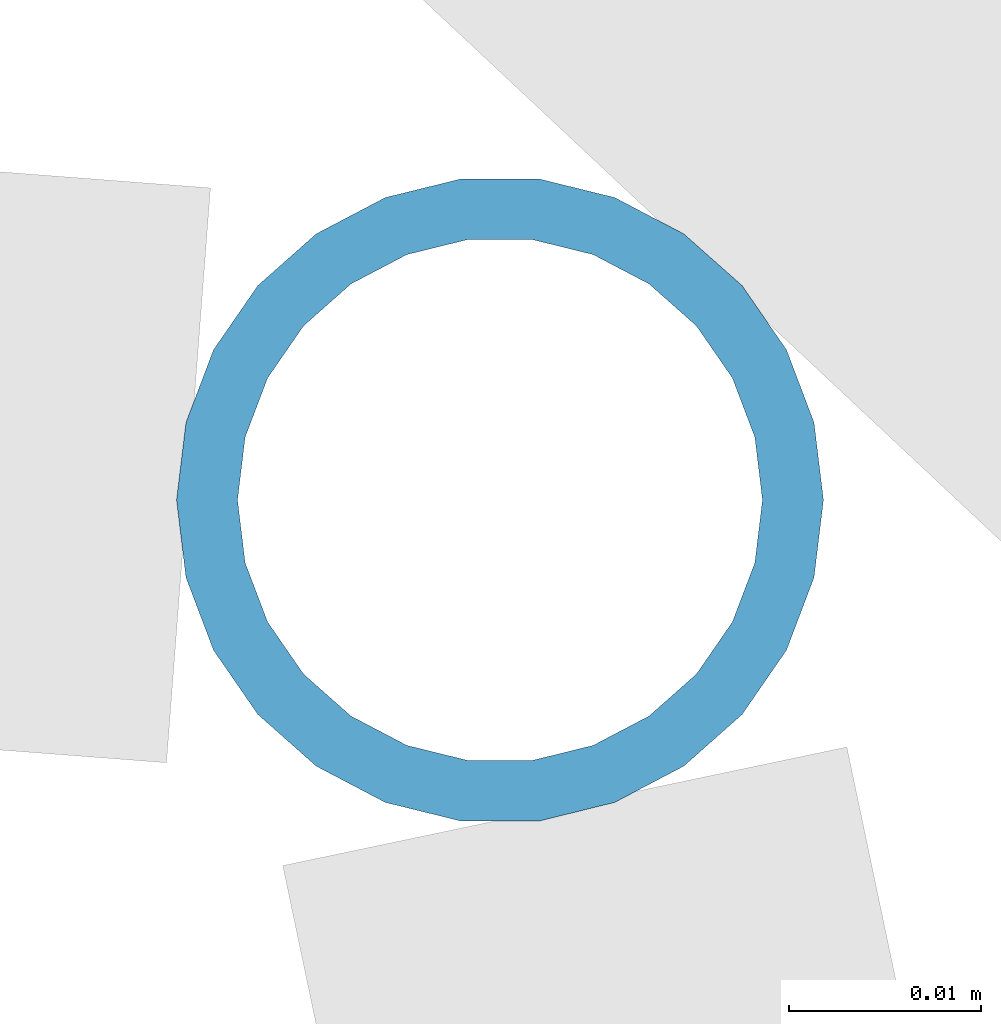
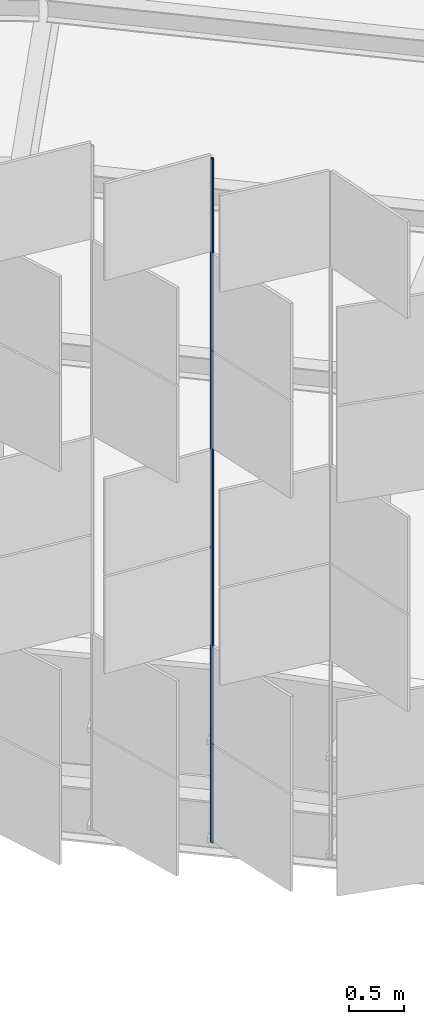
# One storey, part 261 of 483: 1 discrete accessory.
"""IFC4 building model written with IfcOpenShell, lengths in metres."""

import ifcopenshell
import ifcopenshell.guid

model = None  # the IFC model being written
_history = None  # IfcOwnerHistory: only IFC2X3 demands one
_inside = {}  # id of a spatial element -> (the spatial element, [elements in it])
_under = {}  # id of a project, library or spatial element -> (it, [spatial elements below it])
_declared = {}  # id of a project -> (the project, [libraries it declares])
_typed = {}  # id of a type object -> (the type object, [elements of that type])
_made_of = {}  # id of a material, layer set ... -> (it, [elements and type objects made of it])


def new_model(schema):
    """Start an empty IFC model of exactly this schema.

    Asked for "IFC4X3", IfcOpenShell would pick the latest addendum, in which some entities
    have other attributes; the version numbers below select the first issue.
    IFC2X3 requires an IfcOwnerHistory on every rooted entity: one is made here for all.
    """
    global model, _history
    if schema == "IFC4X3":
        model = ifcopenshell.file(schema_version=(4, 3, 0, 0))
    else:
        model = ifcopenshell.file(schema=schema)
    _inside.clear()
    _under.clear()
    _declared.clear()
    _typed.clear()
    _made_of.clear()
    _history = None
    if model.schema == "IFC2X3":
        org = make("IfcOrganization", Name="unknown")
        user = make(
            "IfcPersonAndOrganization",
            ThePerson=make("IfcPerson", FamilyName="unknown"),
            TheOrganization=org,
        )
        app = make(
            "IfcApplication",
            ApplicationDeveloper=org,
            Version="unknown",
            ApplicationFullName="unknown",
            ApplicationIdentifier="unknown",
        )
        _history = make(
            "IfcOwnerHistory",
            OwningUser=user,
            OwningApplication=app,
            ChangeAction="ADDED",
            CreationDate=0,
        )
    return model


def make(cls, **values):
    """One entity of the class cls with the attributes given. An attribute that is None is left unset."""
    return model.create_entity(
        cls, **{name: value for name, value in values.items() if value is not None}
    )


def rooted(cls, **values):
    """An entity with a GlobalId (a new one), such as an element, a storey or a relation."""
    return make(cls, GlobalId=ifcopenshell.guid.new(), OwnerHistory=_history, **values)


def si_unit(unit_type, name, prefix=None):
    """IfcSIUnit, for example si_unit("LENGTHUNIT", "METRE", prefix="MILLI")."""
    return make("IfcSIUnit", UnitType=unit_type, Prefix=prefix, Name=name)


def assignment(units):
    """IfcUnitAssignment: the units of a project."""
    return None if units is None else make("IfcUnitAssignment", Units=units)


def point(xyz):
    """IfcCartesianPoint."""
    return None if xyz is None else make("IfcCartesianPoint", Coordinates=xyz)


def direction(xyz):
    """IfcDirection."""
    return None if xyz is None else make("IfcDirection", DirectionRatios=xyz)


def frame(location, z_axis=None, x_axis=None):
    """IfcAxis2Placement3D, a coordinate frame: its origin and axes. An axis left out is left unset."""
    return make(
        "IfcAxis2Placement3D",
        Location=point(location),
        Axis=direction(z_axis),
        RefDirection=direction(x_axis),
    )


def frame_2d(location, x_axis=None):
    """IfcAxis2Placement2D, a coordinate frame in the plane: its origin and x axis."""
    return make(
        "IfcAxis2Placement2D", Location=point(location), RefDirection=direction(x_axis)
    )


def origin():
    """The frame at (0, 0, 0) with its axes left unset."""
    return frame((0.0, 0.0, 0.0))


def origin_2d():
    """The frame at (0, 0) in the plane with its x axis left unset."""
    return frame_2d((0.0, 0.0))


def place(relative_to, where):
    """IfcLocalPlacement: puts the frame where relative to a parent placement (None: the world)."""
    return make(
        "IfcLocalPlacement", PlacementRelTo=relative_to, RelativePlacement=where
    )


def context(
    kind, dimensions, precision=None, world=None, true_north=None, identifier=None
):
    """IfcGeometricRepresentationContext, for example the 3D "Model" context."""
    return make(
        "IfcGeometricRepresentationContext",
        ContextIdentifier=identifier,
        ContextType=kind,
        CoordinateSpaceDimension=dimensions,
        Precision=precision,
        WorldCoordinateSystem=world,
        TrueNorth=true_north,
    )


def subcontext(parent, identifier, kind, view, scale=None):
    """IfcGeometricRepresentationSubContext, for example "Body" below "Model"."""
    return make(
        "IfcGeometricRepresentationSubContext",
        ContextIdentifier=identifier,
        ContextType=kind,
        ParentContext=parent,
        TargetScale=scale,
        TargetView=view,
    )


def project(units=None, contexts=None):
    """IfcProject with its units and contexts."""
    return rooted(
        "IfcProject",
        Name="project",
        RepresentationContexts=contexts,
        UnitsInContext=assignment(units),
    )


def spatial(cls, under=None, at=None, **own):
    """A site, building, storey or space (cls), placed at a placement, below another one or the project."""
    s = rooted(cls, ObjectPlacement=at, **own)
    if under is not None:
        _under.setdefault(under.id(), (under, []))[1].append(s)
    return s


def profile(cls, at=None, kind="AREA", **sizes):
    """A parametric profile (cls). Its sizes go by their IFC names, for example OverallWidth=200.0."""
    return make(cls, ProfileType=kind, Position=at, **sizes)


def hollow_circle(**sizes):
    """IfcCircleHollowProfileDef."""
    return profile("IfcCircleHollowProfileDef", **sizes)


def extrude(swept, where, along, depth):
    """IfcExtrudedAreaSolid: the profile swept, set in the frame where, extruded along a direction by depth."""
    return make(
        "IfcExtrudedAreaSolid",
        SweptArea=swept,
        Position=where,
        ExtrudedDirection=direction(along),
        Depth=depth,
    )


def shape(context_of_items, identifier, shape_type, items):
    """IfcShapeRepresentation: the items that make up one representation, for example the "Body"."""
    return make(
        "IfcShapeRepresentation",
        ContextOfItems=context_of_items,
        RepresentationIdentifier=identifier,
        RepresentationType=shape_type,
        Items=items,
    )


def material(Name=None, Category=None):
    """IfcMaterial."""
    return make("IfcMaterial", Name=Name, Category=Category)


def material_profile(
    of_material, cross_section, Name=None, Category=None, Priority=None
):
    """IfcMaterialProfile: a cross section and its material."""
    return make(
        "IfcMaterialProfile",
        Name=Name,
        Material=of_material,
        Profile=cross_section,
        Priority=Priority,
        Category=Category,
    )


def profile_set(profiles, Name=None, composite=None):
    """IfcMaterialProfileSet."""
    return make(
        "IfcMaterialProfileSet",
        Name=Name,
        MaterialProfiles=profiles,
        CompositeProfile=composite,
    )


def made_of(thing, what):
    """Note that an element or type object is made of a material, layer set ...; save() writes the relation."""
    if what is not None:
        _made_of.setdefault(what.id(), (what, []))[1].append(thing)
    return thing


def type_object(cls, material=None, **own):
    """A type object (cls), such as IfcWallType, which elements share."""
    return made_of(rooted(cls, **own), material)


def element(
    cls,
    number,
    at=None,
    inside=None,
    cuts=None,
    type_object=None,
    material=None,
    context=None,
    identifier="Body",
    shape_type=None,
    held_by="IfcProductDefinitionShape",
    body=None,
    shapes=None,
    **own,
):
    """One element of the class cls, such as IfcWall. Its Tag is "e" and its number.

    at: its placement. inside: the storey or other place that contains it. cuts: it is an
    opening in that element (IfcRelVoidsElement). A single representation is given by context,
    identifier, shape_type and body (its items); several are given by shapes. held_by: the class
    of the entity that holds the representations. save() writes the other relations.
    """
    e = rooted(cls, Tag="e%d" % number, ObjectPlacement=at, **own)
    if body is not None:
        shapes = [shape(context, identifier, shape_type, body)]
    if shapes is not None:
        e.Representation = make(held_by, Representations=shapes)
    if inside is not None:
        _inside.setdefault(inside.id(), (inside, []))[1].append(e)
    if cuts is not None:
        rooted(
            "IfcRelVoidsElement", RelatingBuildingElement=cuts, RelatedOpeningElement=e
        )
    if type_object is not None:
        _typed.setdefault(type_object.id(), (type_object, []))[1].append(e)
    return made_of(e, material)


def aggregate(whole, parts):
    """IfcRelAggregates: a whole, such as a stair, and the parts it consists of."""
    return rooted("IfcRelAggregates", RelatingObject=whole, RelatedObjects=parts)


def save(model, path):
    """Write the relations noted so far, then the file.

    IfcRelAggregates (storeys below a building ...), IfcRelContainedInSpatialStructure (elements
    in a storey), IfcRelDefinesByType, IfcRelAssociatesMaterial and IfcRelDeclares: one each for
    every whole, place, type object, material and project.
    """
    for whole, parts in _under.values():
        aggregate(whole, parts)
    for where, things in _inside.values():
        rooted(
            "IfcRelContainedInSpatialStructure",
            RelatedElements=things,
            RelatingStructure=where,
        )
    for kind, things in _typed.values():
        rooted("IfcRelDefinesByType", RelatedObjects=things, RelatingType=kind)
    for what, things in _made_of.values():
        rooted("IfcRelAssociatesMaterial", RelatedObjects=things, RelatingMaterial=what)
    for by, libraries in _declared.values():
        rooted("IfcRelDeclares", RelatingContext=by, RelatedDefinitions=libraries)
    model.write(path)


model = new_model("IFC4")

# Units and contexts
model_context = context("Model", 3, precision=1e-05, world=origin(), true_north=direction((0.0, 1.0)))
body_context = subcontext(model_context, "Body", "Model", "MODEL_VIEW")
ifc_project = project(units=[si_unit("LENGTHUNIT", "METRE"), si_unit("AREAUNIT", "SQUARE_METRE"), si_unit("VOLUMEUNIT", "CUBIC_METRE"), si_unit("PLANEANGLEUNIT", "RADIAN"), si_unit("MASSUNIT", "GRAM", prefix="KILO")], contexts=[model_context])

# Site, building, storey
site_placement = place(None, origin())
site = spatial("IfcSite", under=ifc_project, at=site_placement, CompositionType="ELEMENT")
building_placement = place(site_placement, origin())
building = spatial("IfcBuilding", under=site, at=building_placement, Name="Parallax Yard Mobility Hub", CompositionType="ELEMENT")
storey_placement = place(building_placement, frame((0.0, 0.0, 13.199951171875)))
storey = spatial("IfcBuildingStorey", under=building, at=storey_placement, Name="L04", CompositionType="ELEMENT", Elevation=13.199951171875)

# Discrete accessory
ifc_material = material(Name="Steel ASTM A500 Gr C, hot-dip galvanised", Category="steel")
ifc_material_profile = material_profile(ifc_material, hollow_circle(Radius=0.016845703125, WallThickness=0.003173828125, at=origin_2d()), Name="CHS 33.7x3.2")
ifc_profile_set = profile_set([ifc_material_profile], Name="Steel ASTM A500 Gr C, hot-dip galvanised")
discrete_accessory_type = type_object("IfcDiscreteAccessoryType", Name="Hinge post CHS 33.7x3.2", PredefinedType="BRACKET", material=ifc_profile_set)
discrete_accessory_placement = place(storey_placement, frame((186.87109375, 105.98095703125, 0.0), z_axis=(0.0, 0.0, 1.0), x_axis=(1.0, 0.0, 0.0)))
element("IfcDiscreteAccessory", 1, at=discrete_accessory_placement, inside=storey, type_object=discrete_accessory_type, Name="Hinge post bay 20.3 level L04", PredefinedType="BRACKET", context=body_context, shape_type="SweptSolid", body=[
    extrude(hollow_circle(Radius=0.016845703125, WallThickness=0.003173828125, at=origin_2d()), origin(), (0.0, 0.0, 1.0), 7.650146484375),
])

save(model, "model.ifc")
